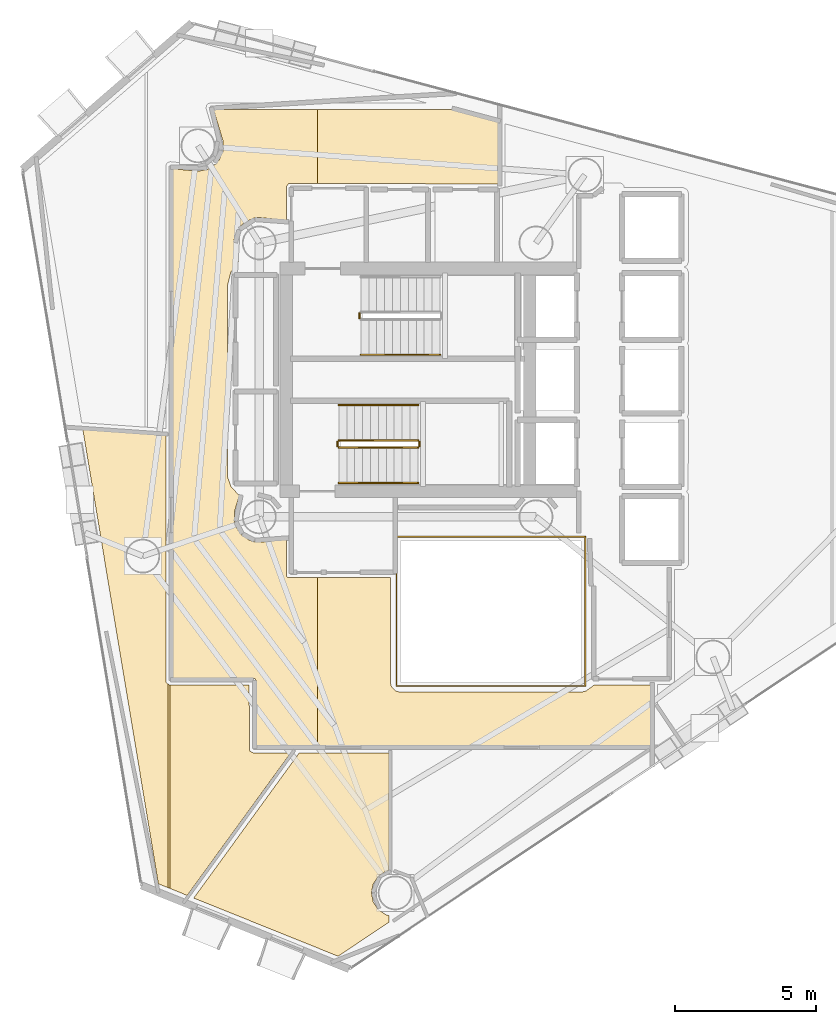
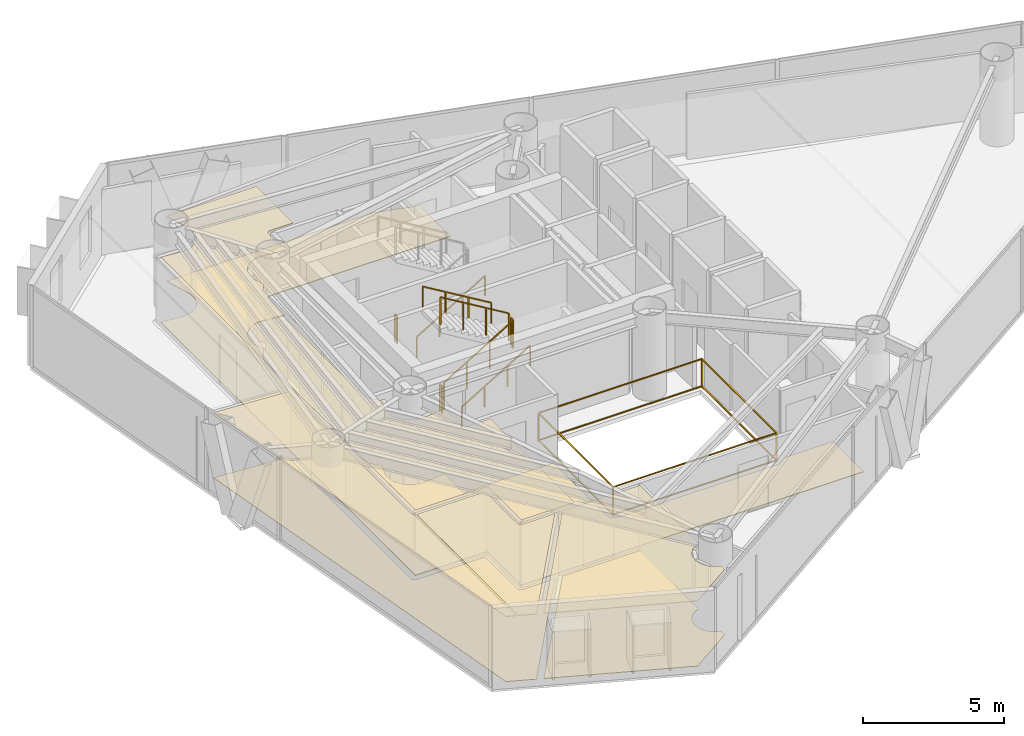
# One storey, part 19 of 21: 9 railings, 7 coverings.
"""IFC4 building model written with IfcOpenShell, lengths in metres."""

from ifc_helpers import new_model, si_unit, direction, frame, origin, origin_2d, place, context, subcontext, project, spatial, polyline, rectangle, outline, extrude, material, layer, layer_set, type_object, element, save


model = new_model("IFC4")

# Units and contexts
model_context = context("Model", 3, precision=1e-05, world=origin(), true_north=direction((0.0, 1.0)))
body_context = subcontext(model_context, "Body", "Model", "MODEL_VIEW")
ifc_project = project(units=[si_unit("LENGTHUNIT", "METRE"), si_unit("AREAUNIT", "SQUARE_METRE"), si_unit("VOLUMEUNIT", "CUBIC_METRE"), si_unit("PLANEANGLEUNIT", "RADIAN"), si_unit("MASSUNIT", "GRAM", prefix="KILO")], contexts=[model_context])

# Site, building, storey
site_placement = place(None, origin())
site = spatial("IfcSite", under=ifc_project, at=site_placement, CompositionType="ELEMENT")
building_placement = place(site_placement, origin())
building = spatial("IfcBuilding", under=site, at=building_placement, Name="Qianvela Tower", CompositionType="ELEMENT")
storey_placement = place(building_placement, frame((0.0, 0.0, 189.199951171875)))
storey = spatial("IfcBuildingStorey", under=building, at=storey_placement, Name="L48", CompositionType="ELEMENT", Elevation=189.199951171875)

# Coverings
ifc_material_1 = material(Name="Perforated Mineral Acoustic Ceiling Tile")
ifc_layer_1 = layer(ifc_material_1, 0.02490234375)
ifc_layer_set_1 = layer_set([ifc_layer_1], Name="Perforated Mineral Acoustic Ceiling Tile")
covering_type_1 = type_object("IfcCoveringType", Name="COV-CEIL-ACOUSTIC-25", PredefinedType="CEILING", material=ifc_layer_set_1)
covering_1_placement = place(storey_placement, frame((0.0, 0.0, 2.81494140625)))
element("IfcCovering", 1, at=covering_1_placement, inside=storey, type_object=covering_type_1, Name="L48 Acoustic Ceiling Bay 1 L48 Floor Corridor", PredefinedType="CEILING", context=body_context, shape_type="SweptSolid", body=[
    extrude(outline(polyline([(27.311767578125, 36.808837890625), (27.313720703125, 36.81640625), (27.31494140625, 36.82421875), (27.315185546875, 36.83203125), (27.315185546875, 37.152099609375), (27.31494140625, 37.159912109375), (27.313720703125, 37.16748046875), (27.311767578125, 37.17529296875), (26.979736328125, 38.27001953125), (30.654052734375, 38.27001953125), (30.654052734375, 35.658203125), (29.68798828125, 35.660888671875), (29.680419921875, 35.660400390625), (29.672607421875, 35.6591796875), (29.664794921875, 35.657470703125), (29.657470703125, 35.65478515625), (29.650390625, 35.6513671875), (29.6435546875, 35.6474609375), (29.63720703125, 35.642578125), (29.63134765625, 35.637451171875), (29.626220703125, 35.631591796875), (29.576171875, 35.57080078125), (29.571533203125, 35.564453125), (29.5673828125, 35.5576171875), (29.564208984375, 35.550537109375), (29.561279296875, 35.543212890625), (29.5595703125, 35.53564453125), (29.558349609375, 35.52783203125), (29.55810546875, 35.52001953125), (29.55810546875, 34.35595703125), (28.60791015625, 34.44970703125), (28.60009765625, 34.449951171875), (28.59228515625, 34.44970703125), (28.43212890625, 34.433837890625), (28.42431640625, 34.4326171875), (28.416748046875, 34.430908203125), (28.409423828125, 34.42822265625), (28.11376953125, 34.3056640625), (28.106689453125, 34.302490234375), (28.10009765625, 34.29833984375), (28.09375, 34.293701171875), (28.087890625, 34.288330078125), (27.861572265625, 34.06201171875), (27.8564453125, 34.056396484375), (27.851806640625, 34.050048828125), (27.84765625, 34.043212890625), (27.84423828125, 34.0361328125), (27.7216796875, 33.740478515625), (27.71923828125, 33.733154296875), (27.71728515625, 33.7255859375), (27.716064453125, 33.7177734375), (27.700439453125, 33.557861328125), (27.699951171875, 33.550048828125), (27.700439453125, 33.542236328125), (27.716064453125, 33.382080078125), (27.71728515625, 33.37451171875), (27.71923828125, 33.36669921875), (27.865478515625, 32.884521484375), (27.60107421875, 32.52685546875), (27.5966796875, 32.5205078125), (27.593017578125, 32.513427734375), (27.590087890625, 32.50634765625), (27.587890625, 32.4990234375), (27.472412109375, 32.0458984375), (27.47119140625, 32.039306640625), (27.47021484375, 32.03271484375), (27.469970703125, 32.026123046875), (27.469970703125, 25.291259765625), (27.47021484375, 25.2841796875), (27.47119140625, 25.27734375), (27.47265625, 25.2705078125), (27.474853515625, 25.263916015625), (27.59326171875, 24.938232421875), (27.59619140625, 24.93115234375), (27.599853515625, 24.92431640625), (27.604248046875, 24.91796875), (27.609130859375, 24.911865234375), (27.89111328125, 24.599853515625), (27.71923828125, 24.033203125), (27.71728515625, 24.025634765625), (27.716064453125, 24.017822265625), (27.7158203125, 24.010009765625), (27.7158203125, 23.68994140625), (27.716064453125, 23.68212890625), (27.71728515625, 23.67431640625), (27.71923828125, 23.666748046875), (27.765869140625, 23.512939453125), (27.7685546875, 23.505615234375), (27.77197265625, 23.49853515625), (27.77587890625, 23.49169921875), (27.95361328125, 23.2255859375), (27.958251953125, 23.219482421875), (27.963623046875, 23.213623046875), (27.969482421875, 23.208251953125), (27.9755859375, 23.20361328125), (28.24169921875, 23.02587890625), (28.24853515625, 23.02197265625), (28.255615234375, 23.0185546875), (28.262939453125, 23.015869140625), (28.416748046875, 22.96923828125), (28.42431640625, 22.96728515625), (28.43212890625, 22.966064453125), (28.59228515625, 22.950439453125), (28.60009765625, 22.949951171875), (28.60791015625, 22.950439453125), (29.55810546875, 23.0439453125), (29.55810546875, 21.780029296875), (29.558349609375, 21.772216796875), (29.5595703125, 21.764404296875), (29.561279296875, 21.7568359375), (29.564208984375, 21.74951171875), (29.5673828125, 21.7421875), (29.571533203125, 21.735595703125), (29.576171875, 21.729248046875), (29.581298828125, 21.723388671875), (29.587158203125, 21.71826171875), (29.593505859375, 21.71337890625), (29.600341796875, 21.70947265625), (29.607421875, 21.7060546875), (29.61474609375, 21.703369140625), (29.622314453125, 21.701416015625), (29.630126953125, 21.700439453125), (29.637939453125, 21.699951171875), (30.654052734375, 21.699951171875), (30.654052734375, 15.7314453125), (28.47998046875, 15.72998046875), (28.47998046875, 18.050048828125), (28.4794921875, 18.057861328125), (28.478515625, 18.065673828125), (28.4765625, 18.0732421875), (28.473876953125, 18.08056640625), (28.470703125, 18.087646484375), (28.466552734375, 18.094482421875), (28.4619140625, 18.100830078125), (28.45654296875, 18.106689453125), (28.45068359375, 18.11181640625), (28.4443359375, 18.116455078125), (28.437744140625, 18.12060546875), (28.4306640625, 18.123779296875), (28.423095703125, 18.126708984375), (28.41552734375, 18.12841796875), (28.40771484375, 18.129638671875), (28.39990234375, 18.1298828125), (25.530029296875, 18.1298828125), (25.530029296875, 36.180419921875), (26.423095703125, 36.09228515625), (26.430908203125, 36.092041015625), (26.438720703125, 36.09228515625), (26.446533203125, 36.093505859375), (26.760498046875, 36.156005859375), (26.76806640625, 36.157958984375), (26.775390625, 36.160400390625), (26.782470703125, 36.163818359375), (26.789306640625, 36.16796875), (27.055419921875, 36.345703125), (27.0615234375, 36.350341796875), (27.0673828125, 36.355712890625), (27.07275390625, 36.361328125), (27.174560546875, 36.485595703125), (27.17919921875, 36.491943359375), (27.183349609375, 36.498779296875), (27.186767578125, 36.505859375), (27.30908203125, 36.801513671875), (27.311767578125, 36.808837890625)])), origin(), (0.0, 0.0, 1.0), 0.025146484375),
])
covering_2_placement = place(storey_placement, frame((0.0, 0.0, 2.81494140625)))
element("IfcCovering", 2, at=covering_2_placement, inside=storey, type_object=covering_type_1, Name="L48 Acoustic Ceiling Bay 1 Panoramic Study Lounge L48-01", PredefinedType="CEILING", context=body_context, shape_type="SweptSolid", body=[
    extrude(outline(polyline([(25.2900390625, 26.7314453125), (25.296142578125, 18.019287109375), (25.29638671875, 18.011474609375), (25.297607421875, 18.003662109375), (25.299560546875, 17.99609375), (25.30224609375, 17.98876953125), (25.305419921875, 17.981689453125), (25.3095703125, 17.974853515625), (25.314208984375, 17.968505859375), (25.319580078125, 17.962890625), (25.3251953125, 17.95751953125), (25.33154296875, 17.952880859375), (25.362548828125, 17.932373046875), (25.362548828125, 10.71630859375), (25.0263671875, 10.851806640625), (22.351806640625, 26.93701171875), (25.2900390625, 26.7314453125)])), origin(), (0.0, 0.0, 1.0), 0.025146484375),
])
covering_3_placement = place(storey_placement, frame((0.0, 0.0, 2.81494140625)))
element("IfcCovering", 3, at=covering_3_placement, inside=storey, type_object=covering_type_1, Name="L48 Acoustic Ceiling Bay 2 Panoramic Study Lounge L48-01", PredefinedType="CEILING", context=body_context, shape_type="SweptSolid", body=[
    extrude(outline(polyline([(25.449951171875, 17.889892578125), (28.240478515625, 17.889892578125), (28.25341796875, 15.60498046875), (28.25390625, 15.597412109375), (28.255126953125, 15.589599609375), (28.257080078125, 15.58203125), (28.259765625, 15.57470703125), (28.26318359375, 15.567626953125), (28.26708984375, 15.560791015625), (28.271728515625, 15.5546875), (28.277099609375, 15.548828125), (28.28271484375, 15.543701171875), (28.2890625, 15.5390625), (28.2958984375, 15.534912109375), (28.3623046875, 15.49951171875), (28.369384765625, 15.49609375), (28.376953125, 15.493408203125), (28.384521484375, 15.491455078125), (28.392333984375, 15.490478515625), (28.400146484375, 15.489990234375), (29.7138671875, 15.490966796875), (26.045166015625, 10.441162109375), (25.4423828125, 10.68408203125), (25.4423828125, 17.890380859375), (25.449951171875, 17.889892578125)])), origin(), (0.0, 0.0, 1.0), 0.025146484375),
])
covering_4_placement = place(storey_placement, frame((0.0, 0.0, 2.81494140625)))
element("IfcCovering", 4, at=covering_4_placement, inside=storey, type_object=covering_type_1, Name="L48 Acoustic Ceiling Social Sitting Lounge L48-02", PredefinedType="CEILING", context=body_context, shape_type="SweptSolid", body=[
    extrude(outline(polyline([(33.193359375, 11.337158203125), (33.099853515625, 11.309814453125), (33.092041015625, 11.307373046875), (33.084716796875, 11.3037109375), (33.07763671875, 11.2998046875), (32.831298828125, 11.135009765625), (32.82470703125, 11.130126953125), (32.819091796875, 11.125), (32.813720703125, 11.119140625), (32.80908203125, 11.11279296875), (32.644287109375, 10.8662109375), (32.640380859375, 10.859619140625), (32.636962890625, 10.8525390625), (32.63427734375, 10.84521484375), (32.63232421875, 10.83740234375), (32.574462890625, 10.546630859375), (32.573486328125, 10.538818359375), (32.572998046875, 10.531005859375), (32.573486328125, 10.523193359375), (32.574462890625, 10.515380859375), (32.63232421875, 10.224609375), (32.63427734375, 10.216796875), (32.636962890625, 10.20947265625), (32.640380859375, 10.202392578125), (32.644287109375, 10.19580078125), (32.80908203125, 9.94921875), (32.813720703125, 9.94287109375), (32.819091796875, 9.93701171875), (32.82470703125, 9.931884765625), (32.831298828125, 9.927001953125), (33.07763671875, 9.76220703125), (33.084716796875, 9.75830078125), (33.092041015625, 9.754638671875), (33.099853515625, 9.752197265625), (33.193359375, 9.724853515625), (33.193359375, 9.493408203125), (31.39111328125, 8.287109375), (26.2783203125, 10.34716796875), (30.015625, 15.490966796875), (33.193359375, 15.4931640625), (33.193359375, 11.337158203125)])), origin(), (0.0, 0.0, 1.0), 0.025146484375),
])
ifc_material_2 = material(Name="Engineered Acoustic Oak Timber Flooring", Category="wood")
ifc_layer_2 = layer(ifc_material_2, 0.02001953125)
ifc_layer_set_2 = layer_set([ifc_layer_2], Name="Engineered Acoustic Oak Timber Flooring")
covering_type_2 = type_object("IfcCoveringType", Name="COV-FLOOR-OAK-20", PredefinedType="FLOORING", material=ifc_layer_set_2)
covering_5_placement = place(storey_placement, origin())
element("IfcCovering", 5, at=covering_5_placement, inside=storey, type_object=covering_type_2, Name="L48 Finish Flooring Panoramic Study Lounge L48-01", PredefinedType="FLOORING", context=body_context, shape_type="SweptSolid", body=[
    extrude(outline(polyline([(22.351806640625, 26.93701171875), (25.2900390625, 26.7314453125), (25.296142578125, 18.019287109375), (25.29638671875, 18.011474609375), (25.297607421875, 18.003662109375), (25.299560546875, 17.99609375), (25.30224609375, 17.98876953125), (25.305419921875, 17.981689453125), (25.3095703125, 17.974853515625), (25.314208984375, 17.968505859375), (25.319580078125, 17.962890625), (25.3251953125, 17.95751953125), (25.33154296875, 17.952880859375), (25.405517578125, 17.903564453125), (25.412353515625, 17.8994140625), (25.41943359375, 17.89599609375), (25.4267578125, 17.893310546875), (25.434326171875, 17.8916015625), (25.442138671875, 17.890380859375), (25.449951171875, 17.889892578125), (28.240478515625, 17.889892578125), (28.25341796875, 15.60498046875), (28.25390625, 15.597412109375), (28.255126953125, 15.589599609375), (28.257080078125, 15.58203125), (28.259765625, 15.57470703125), (28.26318359375, 15.567626953125), (28.26708984375, 15.560791015625), (28.271728515625, 15.5546875), (28.277099609375, 15.548828125), (28.28271484375, 15.543701171875), (28.2890625, 15.5390625), (28.2958984375, 15.534912109375), (28.3623046875, 15.49951171875), (28.369384765625, 15.49609375), (28.376953125, 15.493408203125), (28.384521484375, 15.491455078125), (28.392333984375, 15.490478515625), (28.400146484375, 15.489990234375), (29.7138671875, 15.490966796875), (26.045166015625, 10.441162109375), (25.0263671875, 10.851806640625), (22.351806640625, 26.93701171875)])), origin(), (0.0, 0.0, 1.0), 0.02001953125),
])
covering_6_placement = place(storey_placement, origin())
element("IfcCovering", 6, at=covering_6_placement, inside=storey, type_object=covering_type_2, Name="L48 Finish Flooring Social Sitting Lounge L48-02", PredefinedType="FLOORING", context=body_context, shape_type="SweptSolid", body=[
    extrude(outline(polyline([(33.193359375, 11.337158203125), (33.099853515625, 11.309814453125), (33.092041015625, 11.307373046875), (33.084716796875, 11.3037109375), (33.07763671875, 11.2998046875), (32.831298828125, 11.135009765625), (32.82470703125, 11.130126953125), (32.819091796875, 11.125), (32.813720703125, 11.119140625), (32.80908203125, 11.11279296875), (32.644287109375, 10.8662109375), (32.640380859375, 10.859619140625), (32.636962890625, 10.8525390625), (32.63427734375, 10.84521484375), (32.63232421875, 10.83740234375), (32.574462890625, 10.546630859375), (32.573486328125, 10.538818359375), (32.572998046875, 10.531005859375), (32.573486328125, 10.523193359375), (32.574462890625, 10.515380859375), (32.63232421875, 10.224609375), (32.63427734375, 10.216796875), (32.636962890625, 10.20947265625), (32.640380859375, 10.202392578125), (32.644287109375, 10.19580078125), (32.80908203125, 9.94921875), (32.813720703125, 9.94287109375), (32.819091796875, 9.93701171875), (32.82470703125, 9.931884765625), (32.831298828125, 9.927001953125), (33.07763671875, 9.76220703125), (33.084716796875, 9.75830078125), (33.092041015625, 9.754638671875), (33.099853515625, 9.752197265625), (33.193359375, 9.724853515625), (33.193359375, 9.493408203125), (31.39111328125, 8.287109375), (26.2783203125, 10.34716796875), (30.015625, 15.490966796875), (33.193359375, 15.4931640625), (33.193359375, 11.337158203125)])), origin(), (0.0, 0.0, 1.0), 0.02001953125),
])
ifc_material_3 = material(Name="Honed Stone Terrazzo Flooring", Category="masonry")
ifc_layer_3 = layer(ifc_material_3, 0.030029296875)
ifc_layer_set_3 = layer_set([ifc_layer_3], Name="Honed Stone Terrazzo Flooring")
covering_type_3 = type_object("IfcCoveringType", Name="COV-FLOOR-TERRAZZO-30", PredefinedType="FLOORING", material=ifc_layer_set_3)
covering_7_placement = place(storey_placement, origin())
element("IfcCovering", 7, at=covering_7_placement, inside=storey, type_object=covering_type_3, Name="L48 Finish Flooring L48 Floor Corridor", PredefinedType="FLOORING", context=body_context, shape_type="SweptSolid", body=[
    extrude(outline(polyline([(27.30908203125, 36.801513671875), (27.311767578125, 36.808837890625), (27.313720703125, 36.81640625), (27.31494140625, 36.82421875), (27.315185546875, 36.83203125), (27.315185546875, 37.152099609375), (27.31494140625, 37.159912109375), (27.313720703125, 37.16748046875), (27.311767578125, 37.17529296875), (26.979736328125, 38.27001953125), (35.42431640625, 38.27001953125), (37.070068359375, 37.831787109375), (37.070068359375, 35.64013671875), (29.68798828125, 35.660888671875), (29.680419921875, 35.660400390625), (29.672607421875, 35.6591796875), (29.664794921875, 35.657470703125), (29.657470703125, 35.65478515625), (29.650390625, 35.6513671875), (29.6435546875, 35.6474609375), (29.63720703125, 35.642578125), (29.63134765625, 35.637451171875), (29.626220703125, 35.631591796875), (29.576171875, 35.57080078125), (29.571533203125, 35.564453125), (29.5673828125, 35.5576171875), (29.564208984375, 35.550537109375), (29.561279296875, 35.543212890625), (29.5595703125, 35.53564453125), (29.558349609375, 35.52783203125), (29.55810546875, 35.52001953125), (29.55810546875, 34.35595703125), (28.60791015625, 34.44970703125), (28.60009765625, 34.449951171875), (28.59228515625, 34.44970703125), (28.43212890625, 34.433837890625), (28.42431640625, 34.4326171875), (28.416748046875, 34.430908203125), (28.409423828125, 34.42822265625), (28.11376953125, 34.3056640625), (28.106689453125, 34.302490234375), (28.10009765625, 34.29833984375), (28.09375, 34.293701171875), (28.087890625, 34.288330078125), (27.861572265625, 34.06201171875), (27.8564453125, 34.056396484375), (27.851806640625, 34.050048828125), (27.84765625, 34.043212890625), (27.84423828125, 34.0361328125), (27.7216796875, 33.740478515625), (27.71923828125, 33.733154296875), (27.71728515625, 33.7255859375), (27.716064453125, 33.7177734375), (27.700439453125, 33.557861328125), (27.699951171875, 33.550048828125), (27.700439453125, 33.542236328125), (27.716064453125, 33.382080078125), (27.71728515625, 33.37451171875), (27.71923828125, 33.36669921875), (27.865478515625, 32.884521484375), (27.60107421875, 32.52685546875), (27.5966796875, 32.5205078125), (27.593017578125, 32.513427734375), (27.590087890625, 32.50634765625), (27.587890625, 32.4990234375), (27.472412109375, 32.0458984375), (27.47119140625, 32.039306640625), (27.47021484375, 32.03271484375), (27.469970703125, 32.026123046875), (27.469970703125, 25.291259765625), (27.47021484375, 25.2841796875), (27.47119140625, 25.27734375), (27.47265625, 25.2705078125), (27.474853515625, 25.263916015625), (27.59326171875, 24.938232421875), (27.59619140625, 24.93115234375), (27.599853515625, 24.92431640625), (27.604248046875, 24.91796875), (27.609130859375, 24.911865234375), (27.89111328125, 24.599853515625), (27.71923828125, 24.033203125), (27.71728515625, 24.025634765625), (27.716064453125, 24.017822265625), (27.7158203125, 24.010009765625), (27.7158203125, 23.68994140625), (27.716064453125, 23.68212890625), (27.71728515625, 23.67431640625), (27.71923828125, 23.666748046875), (27.765869140625, 23.512939453125), (27.7685546875, 23.505615234375), (27.77197265625, 23.49853515625), (27.77587890625, 23.49169921875), (27.95361328125, 23.2255859375), (27.958251953125, 23.219482421875), (27.963623046875, 23.213623046875), (27.969482421875, 23.208251953125), (27.9755859375, 23.20361328125), (28.24169921875, 23.02587890625), (28.24853515625, 23.02197265625), (28.255615234375, 23.0185546875), (28.262939453125, 23.015869140625), (28.416748046875, 22.96923828125), (28.42431640625, 22.96728515625), (28.43212890625, 22.966064453125), (28.59228515625, 22.950439453125), (28.60009765625, 22.949951171875), (28.60791015625, 22.950439453125), (29.55810546875, 23.0439453125), (29.55810546875, 21.780029296875), (29.558349609375, 21.772216796875), (29.5595703125, 21.764404296875), (29.561279296875, 21.7568359375), (29.564208984375, 21.74951171875), (29.5673828125, 21.7421875), (29.571533203125, 21.735595703125), (29.576171875, 21.729248046875), (29.581298828125, 21.723388671875), (29.587158203125, 21.71826171875), (29.593505859375, 21.71337890625), (29.600341796875, 21.70947265625), (29.607421875, 21.7060546875), (29.61474609375, 21.703369140625), (29.622314453125, 21.701416015625), (29.630126953125, 21.700439453125), (29.637939453125, 21.699951171875), (33.239990234375, 21.699951171875), (33.239990234375, 18.0), (33.240478515625, 17.990234375), (33.242431640625, 17.980712890625), (33.275390625, 17.8486328125), (33.277587890625, 17.841796875), (33.2802734375, 17.8349609375), (33.283447265625, 17.82861328125), (33.287353515625, 17.822509765625), (33.29150390625, 17.81689453125), (33.29638671875, 17.811279296875), (33.411376953125, 17.696533203125), (33.41796875, 17.690673828125), (33.4248046875, 17.685791015625), (33.432373046875, 17.681396484375), (33.440185546875, 17.677978515625), (33.448486328125, 17.675537109375), (33.58056640625, 17.642333984375), (33.5869140625, 17.64111328125), (33.593505859375, 17.640380859375), (33.60009765625, 17.639892578125), (40.0, 17.639892578125), (40.006591796875, 17.640380859375), (40.012939453125, 17.64111328125), (40.019287109375, 17.642333984375), (40.1513671875, 17.675537109375), (40.15869140625, 17.677734375), (40.166015625, 17.6806640625), (40.172607421875, 17.68408203125), (40.17919921875, 17.6884765625), (40.45947265625, 17.89306640625), (42.469970703125, 17.899658203125), (42.469970703125, 15.739013671875), (28.47998046875, 15.72998046875), (28.47998046875, 18.050048828125), (28.4794921875, 18.057861328125), (28.478515625, 18.065673828125), (28.4765625, 18.0732421875), (28.473876953125, 18.08056640625), (28.470703125, 18.087646484375), (28.466552734375, 18.094482421875), (28.4619140625, 18.100830078125), (28.45654296875, 18.106689453125), (28.45068359375, 18.11181640625), (28.4443359375, 18.116455078125), (28.437744140625, 18.12060546875), (28.4306640625, 18.123779296875), (28.423095703125, 18.126708984375), (28.41552734375, 18.12841796875), (28.40771484375, 18.129638671875), (28.39990234375, 18.1298828125), (25.530029296875, 18.1298828125), (25.530029296875, 36.180419921875), (26.423095703125, 36.09228515625), (26.430908203125, 36.092041015625), (26.438720703125, 36.09228515625), (26.446533203125, 36.093505859375), (26.760498046875, 36.156005859375), (26.76806640625, 36.157958984375), (26.775390625, 36.160400390625), (26.782470703125, 36.163818359375), (26.789306640625, 36.16796875), (27.055419921875, 36.345703125), (27.0615234375, 36.350341796875), (27.0673828125, 36.355712890625), (27.07275390625, 36.361328125), (27.174560546875, 36.485595703125), (27.17919921875, 36.491943359375), (27.183349609375, 36.498779296875), (27.186767578125, 36.505859375), (27.30908203125, 36.801513671875)])), origin(), (0.0, 0.0, 1.0), 0.030029296875),
])

# Railings
ifc_material_4 = material(Name="Laminated Safety Glass and Stainless Steel 316", Category="steel")
railing_type_1 = type_object("IfcRailingType", Name="RL-ATRIUM-GUARD-1250", PredefinedType="GUARDRAIL", material=ifc_material_4)
railing_1_placement = place(storey_placement, frame((33.4599609375, 17.860107421875, 0.0)))
element("IfcRailing", 8, at=railing_1_placement, inside=storey, type_object=railing_type_1, Name="L48 Atrium Edge Guardrail 1", PredefinedType="GUARDRAIL", context=body_context, shape_type="SweptSolid", body=[
    extrude(rectangle(XDim=0.050048828125, YDim=0.0400390625, at=origin_2d()), frame((0.0, 0.0, 1.22998046875), z_axis=(0.0, 1.0, 0.0), x_axis=(-1.0, 0.0, 0.0)), (0.0, 0.0, 1.0), 5.27978515625),
    extrude(rectangle(XDim=0.050048828125, YDim=0.0400390625, at=origin_2d()), frame((0.0, 0.0, 0.050048828125), z_axis=(0.0, 1.0, 0.0), x_axis=(-1.0, 0.0, 0.0)), (0.0, 0.0, 1.0), 5.27978515625),
    extrude(rectangle(XDim=0.050048828125, YDim=0.0400390625, at=origin_2d()), frame((0.0, 5.27978515625, 1.22998046875), z_axis=(1.0, 0.0, 0.0), x_axis=(0.0, 1.0, 0.0)), (0.0, 0.0, 1.0), 6.679931640625),
    extrude(rectangle(XDim=0.050048828125, YDim=0.0400390625, at=origin_2d()), frame((0.0, 5.27978515625, 0.050048828125), z_axis=(1.0, 0.0, 0.0), x_axis=(0.0, 1.0, 0.0)), (0.0, 0.0, 1.0), 6.679931640625),
    extrude(rectangle(XDim=0.050048828125, YDim=0.0400390625, at=origin_2d()), frame((6.679931640625, 5.27978515625, 1.22998046875), z_axis=(0.0, -1.0, 0.0), x_axis=(1.0, 0.0, 0.0)), (0.0, 0.0, 1.0), 5.27978515625),
    extrude(rectangle(XDim=0.050048828125, YDim=0.0400390625, at=origin_2d()), frame((6.679931640625, 5.27978515625, 0.050048828125), z_axis=(0.0, -1.0, 0.0), x_axis=(1.0, 0.0, 0.0)), (0.0, 0.0, 1.0), 5.27978515625),
    extrude(rectangle(XDim=0.050048828125, YDim=0.0400390625, at=origin_2d()), frame((6.679931640625, 0.0, 1.22998046875), z_axis=(-1.0, 0.0, 0.0), x_axis=(0.0, -1.0, 0.0)), (0.0, 0.0, 1.0), 6.679931640625),
    extrude(rectangle(XDim=0.050048828125, YDim=0.0400390625, at=origin_2d()), frame((6.679931640625, 0.0, 0.050048828125), z_axis=(-1.0, 0.0, 0.0), x_axis=(0.0, -1.0, 0.0)), (0.0, 0.0, 1.0), 6.679931640625),
    extrude(rectangle(XDim=0.050048828125, YDim=0.050048828125, at=origin_2d()), origin(), (0.0, 0.0, 1.0), 1.2099609375),
    extrude(rectangle(XDim=0.050048828125, YDim=0.050048828125, at=origin_2d()), frame((0.0, 5.27978515625, 0.0)), (0.0, 0.0, 1.0), 1.2099609375),
    extrude(rectangle(XDim=0.050048828125, YDim=0.050048828125, at=origin_2d()), frame((6.679931640625, 5.27978515625, 0.0)), (0.0, 0.0, 1.0), 1.2099609375),
    extrude(rectangle(XDim=0.050048828125, YDim=0.050048828125, at=origin_2d()), frame((6.679931640625, 0.0, 0.0)), (0.0, 0.0, 1.0), 1.2099609375),
])
ifc_material_5 = material(Name="Painted Tubular Steel Q355B", Category="steel")
railing_type_2 = type_object("IfcRailingType", Name="RL-STAIR-GUARD-1200", PredefinedType="GUARDRAIL", material=ifc_material_5)
railing_2_placement = place(storey_placement, frame((32.14990234375, 30.889892578125, 0.0)))
element("IfcRailing", 9, at=railing_2_placement, inside=storey, type_object=railing_type_2, Name="L48 ST-1 stair guard 4", PredefinedType="GUARDRAIL", context=body_context, shape_type="SweptSolid", body=[
    extrude(rectangle(XDim=0.050048828125, YDim=0.0400390625, at=origin_2d()), frame((0.0, 0.0, 1.179931640625), z_axis=(0.0, 1.0, 0.0), x_axis=(-1.0, 0.0, 0.0)), (0.0, 0.0, 1.0), 0.16015625),
    extrude(rectangle(XDim=0.050048828125, YDim=0.050048828125, at=origin_2d()), origin(), (0.0, 0.0, 1.0), 1.159912109375),
    extrude(rectangle(XDim=0.050048828125, YDim=0.050048828125, at=origin_2d()), frame((0.0, 0.16015625, 0.0)), (0.0, 0.0, 1.0), 1.159912109375),
])
railing_3_placement = place(storey_placement, frame((31.419921875, 26.300048828125, 0.168212890625)))
element("IfcRailing", 10, at=railing_3_placement, inside=storey, type_object=railing_type_2, Name="L48 ST-2 stair guard 1", PredefinedType="GUARDRAIL", context=body_context, shape_type="SweptSolid", body=[
    extrude(rectangle(XDim=0.050048828125, YDim=0.0400390625, at=origin_2d()), frame((0.0, 0.0, 1.179931640625), z_axis=(0.857242210791, 0.0, 0.514913383045), x_axis=(0.0, 1.0, 0.0)), (0.0, 0.0, 1.0), 3.266357421875),
    extrude(rectangle(XDim=0.050048828125, YDim=0.050048828125, at=origin_2d()), origin(), (0.0, 0.0, 1.0), 1.159912109375),
    extrude(rectangle(XDim=0.050048828125, YDim=0.050048828125, at=origin_2d()), frame((0.933349609375, 0.0, 0.560546875)), (0.0, 0.0, 1.0), 1.159912109375),
    extrude(rectangle(XDim=0.050048828125, YDim=0.050048828125, at=origin_2d()), frame((1.86669921875, 0.0, 1.121337890625)), (0.0, 0.0, 1.0), 1.159912109375),
    extrude(rectangle(XDim=0.050048828125, YDim=0.050048828125, at=origin_2d()), frame((2.800048828125, 0.0, 1.681884765625)), (0.0, 0.0, 1.0), 1.159912109375),
])
railing_4_placement = place(storey_placement, frame((34.27001953125, 26.35009765625, 1.85009765625)))
element("IfcRailing", 11, at=railing_4_placement, inside=storey, type_object=railing_type_2, Name="L48 ST-2 stair guard 2", PredefinedType="GUARDRAIL", context=body_context, shape_type="SweptSolid", body=[
    extrude(rectangle(XDim=0.050048828125, YDim=0.0400390625, at=origin_2d()), frame((0.0, 0.0, 1.179931640625), z_axis=(0.0, 1.0, 0.0), x_axis=(-1.0, 0.0, 0.0)), (0.0, 0.0, 1.0), 0.159912109375),
    extrude(rectangle(XDim=0.050048828125, YDim=0.050048828125, at=origin_2d()), origin(), (0.0, 0.0, 1.0), 1.159912109375),
    extrude(rectangle(XDim=0.050048828125, YDim=0.050048828125, at=origin_2d()), frame((0.0, 0.159912109375, 0.0)), (0.0, 0.0, 1.0), 1.159912109375),
])
railing_5_placement = place(storey_placement, frame((34.219970703125, 26.56005859375, 2.018310546875)))
element("IfcRailing", 12, at=railing_5_placement, inside=storey, type_object=railing_type_2, Name="L48 ST-2 stair guard 3", PredefinedType="GUARDRAIL", context=body_context, shape_type="SweptSolid", body=[
    extrude(rectangle(XDim=0.050048828125, YDim=0.0400390625, at=origin_2d()), frame((0.0, 0.0, 1.179931640625), z_axis=(-0.857275202839, 0.0, 0.514858452973), x_axis=(0.0, -1.0, 0.0)), (0.0, 0.0, 1.0), 3.26611328125),
    extrude(rectangle(XDim=0.050048828125, YDim=0.050048828125, at=origin_2d()), origin(), (0.0, 0.0, 1.0), 1.159912109375),
    extrude(rectangle(XDim=0.050048828125, YDim=0.050048828125, at=origin_2d()), frame((-0.933349609375, 0.0, 0.560546875)), (0.0, 0.0, 1.0), 1.159912109375),
    extrude(rectangle(XDim=0.050048828125, YDim=0.050048828125, at=origin_2d()), frame((-1.86669921875, 0.0, 1.12109375)), (0.0, 0.0, 1.0), 1.159912109375),
    extrude(rectangle(XDim=0.050048828125, YDim=0.050048828125, at=origin_2d()), frame((-2.800048828125, 0.0, 1.681640625)), (0.0, 0.0, 1.0), 1.159912109375),
])
railing_6_placement = place(storey_placement, frame((31.3701171875, 26.35009765625, 0.0)))
element("IfcRailing", 13, at=railing_6_placement, inside=storey, type_object=railing_type_2, Name="L48 ST-2 stair guard 4", PredefinedType="GUARDRAIL", context=body_context, shape_type="SweptSolid", body=[
    extrude(rectangle(XDim=0.050048828125, YDim=0.0400390625, at=origin_2d()), frame((0.0, 0.0, 1.179931640625), z_axis=(0.0, 1.0, 0.0), x_axis=(-1.0, 0.0, 0.0)), (0.0, 0.0, 1.0), 0.159912109375),
    extrude(rectangle(XDim=0.050048828125, YDim=0.050048828125, at=origin_2d()), origin(), (0.0, 0.0, 1.0), 1.159912109375),
    extrude(rectangle(XDim=0.050048828125, YDim=0.050048828125, at=origin_2d()), frame((0.0, 0.159912109375, 0.0)), (0.0, 0.0, 1.0), 1.159912109375),
])
ifc_material_6 = material(Name="Brushed Stainless Steel 304", Category="steel")
railing_type_3 = type_object("IfcRailingType", Name="RL-STAIR-HANDRAIL-900", PredefinedType="HANDRAIL", material=ifc_material_6)
for number, where, name in (
    (14, (32.199951171875, 29.590087890625, 0.168212890625), "L48 ST-1 stair handrail 1"),
    (15, (31.419921875, 25.050048828125, 0.168212890625), "L48 ST-2 stair handrail 1"),
):
    element("IfcRailing", number, at=place(storey_placement, frame(where)), inside=storey, type_object=railing_type_3, Name=name, PredefinedType="HANDRAIL", context=body_context, shape_type="SweptSolid", body=[
        extrude(rectangle(XDim=0.050048828125, YDim=0.0400390625, at=origin_2d()), frame((0.0, 0.0, 0.8798828125), z_axis=(0.857242210791, 0.0, 0.514913383045), x_axis=(0.0, 1.0, 0.0)), (0.0, 0.0, 1.0), 3.266357421875),
        extrude(rectangle(XDim=0.050048828125, YDim=0.050048828125, at=origin_2d()), origin(), (0.0, 0.0, 1.0), 0.85986328125),
        extrude(rectangle(XDim=0.050048828125, YDim=0.050048828125, at=origin_2d()), frame((0.933349609375, 0.0, 0.560546875)), (0.0, 0.0, 1.0), 0.85986328125),
        extrude(rectangle(XDim=0.050048828125, YDim=0.050048828125, at=origin_2d()), frame((1.86669921875, 0.0, 1.121337890625)), (0.0, 0.0, 1.0), 0.85986328125),
        extrude(rectangle(XDim=0.050048828125, YDim=0.050048828125, at=origin_2d()), frame((2.800048828125, 0.0, 1.681884765625)), (0.0, 0.0, 1.0), 0.85986328125),
    ])
railing_7_placement = place(storey_placement, frame((34.219970703125, 27.81005859375, 2.018310546875)))
element("IfcRailing", 16, at=railing_7_placement, inside=storey, type_object=railing_type_3, Name="L48 ST-2 stair handrail 2", PredefinedType="HANDRAIL", context=body_context, shape_type="SweptSolid", body=[
    extrude(rectangle(XDim=0.050048828125, YDim=0.0400390625, at=origin_2d()), frame((0.0, 0.0, 0.8798828125), z_axis=(-0.857275202839, 0.0, 0.514858452973), x_axis=(0.0, -1.0, 0.0)), (0.0, 0.0, 1.0), 3.26611328125),
    extrude(rectangle(XDim=0.050048828125, YDim=0.050048828125, at=origin_2d()), origin(), (0.0, 0.0, 1.0), 0.85986328125),
    extrude(rectangle(XDim=0.050048828125, YDim=0.050048828125, at=origin_2d()), frame((-0.933349609375, 0.0, 0.560546875)), (0.0, 0.0, 1.0), 0.85986328125),
    extrude(rectangle(XDim=0.050048828125, YDim=0.050048828125, at=origin_2d()), frame((-1.86669921875, 0.0, 1.12109375)), (0.0, 0.0, 1.0), 0.85986328125),
    extrude(rectangle(XDim=0.050048828125, YDim=0.050048828125, at=origin_2d()), frame((-2.800048828125, 0.0, 1.681640625)), (0.0, 0.0, 1.0), 0.85986328125),
])

save(model, "model.ifc")
